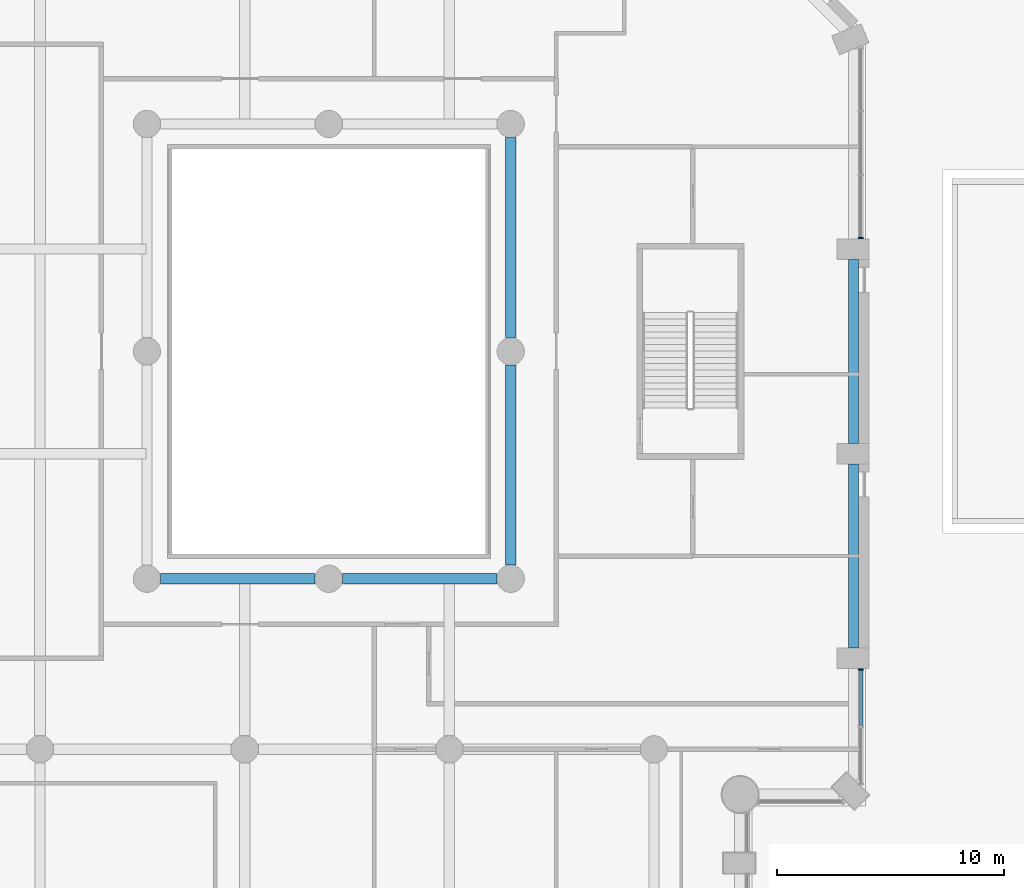
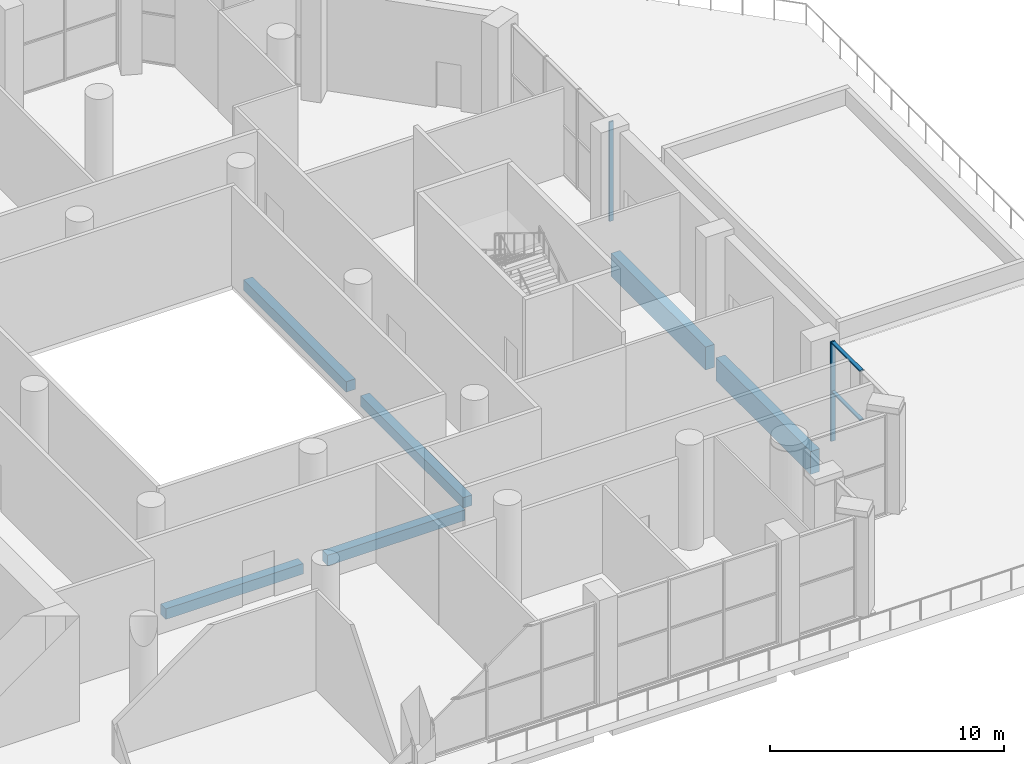
# One storey, part 7 of 26: 6 beams, 4 members, 2 elements without a shape of their own.
"""IFC4 building model written with IfcOpenShell, lengths in metres."""

from ifc_helpers import new_model, si_unit, direction, frame, origin, origin_2d, place, context, subcontext, project, spatial, rectangle, extrude, material, material_profile, profile_set, type_object, element, aggregate, save


model = new_model("IFC4")

# Units and contexts
model_context = context("Model", 3, precision=1e-05, world=origin(), true_north=direction((0.0, 1.0)))
body_context = subcontext(model_context, "Body", "Model", "MODEL_VIEW")
ifc_project = project(units=[si_unit("LENGTHUNIT", "METRE"), si_unit("AREAUNIT", "SQUARE_METRE"), si_unit("VOLUMEUNIT", "CUBIC_METRE"), si_unit("PLANEANGLEUNIT", "RADIAN"), si_unit("MASSUNIT", "GRAM", prefix="KILO")], contexts=[model_context])

# Site, building, storey
site_placement = place(None, origin())
site = spatial("IfcSite", under=ifc_project, at=site_placement, CompositionType="ELEMENT")
building_placement = place(site_placement, origin())
building = spatial("IfcBuilding", under=site, at=building_placement, Name="Cypress Arch Tower", CompositionType="ELEMENT")
storey_placement = place(building_placement, frame((0.0, 0.0, 50.0)))
storey = spatial("IfcBuildingStorey", under=building, at=storey_placement, Name="L06", CompositionType="ELEMENT", Elevation=50.0)

# Beams
ifc_material_1 = material(Name="Concrete C50/60", Category="concrete")
ifc_material_profile_1 = material_profile(ifc_material_1, rectangle(XDim=0.449951171875, YDim=0.550048828125, at=origin_2d()), Name="RC 450x550")
ifc_profile_set_1 = profile_set([ifc_material_profile_1], Name="Concrete C50/60")
beam_type_1 = type_object("IfcBeamType", Name="Floor beam RC 450x550 Concrete C50/60", PredefinedType="BEAM", material=ifc_profile_set_1)
for number, where, z_axis, x_axis, name in (
    (1, (9.0, -9.39990234375, -0.574951171875), (0.0, 1.0, 0.0), (-1.0, 0.0, 0.0), "Floor beam L06 RB003"),
    (2, (9.0, 0.60009765625, -0.574951171875), (0.0, 1.0, 0.0), (-1.0, 0.0, 0.0), "Floor beam L06 RB004"),
):
    element("IfcBeam", number, at=place(storey_placement, frame(where, z_axis=z_axis, x_axis=x_axis)), inside=storey, type_object=beam_type_1, Name=name, PredefinedType="BEAM", context=body_context, shape_type="SweptSolid", body=[
        extrude(rectangle(XDim=0.449951171875, YDim=0.550048828125, at=origin_2d()), origin(), (0.0, 0.0, 1.0), 8.7998046875),
    ])
for number, where, z_axis, x_axis, name in (
    (3, (-6.39990234375, -10.0, -0.574951171875), (1.0, 0.0, 0.0), (0.0, 1.0, 0.0), "Floor beam L06 RB005"),
    (4, (1.60009765625, -10.0, -0.574951171875), (1.0, 0.0, 0.0), (0.0, 1.0, 0.0), "Floor beam L06 RB006"),
):
    element("IfcBeam", number, at=place(storey_placement, frame(where, z_axis=z_axis, x_axis=x_axis)), inside=storey, type_object=beam_type_1, Name=name, PredefinedType="BEAM", context=body_context, shape_type="SweptSolid", body=[
        extrude(rectangle(XDim=0.449951171875, YDim=0.550048828125, at=origin_2d()), origin(), (0.0, 0.0, 1.0), 6.7998046875),
    ])

# Curtain wall, member
ifc_material_2 = material(Name="Anodised aluminium, bronze finish, solar control laminated double glazing", Category="aluminium")
curtain_wall_type = type_object("IfcCurtainWallType", Name="Curtain wall CW3 sky lobby glazing", PredefinedType="NOTDEFINED", material=ifc_material_2)
curtain_wall_1_placement = place(storey_placement, origin())
curtain_wall_1 = element("IfcCurtainWall", 5, at=curtain_wall_1_placement, inside=storey, type_object=curtain_wall_type, Name="Curtain wall L06 A06.0.1", PredefinedType="NOTDEFINED")
ifc_material_3 = material(Name="Anodised aluminium, bronze finish", Category="aluminium")
ifc_material_profile_2 = material_profile(ifc_material_3, rectangle(XDim=0.219970703125, YDim=0.074951171875, at=origin_2d()), Name="Mullion 75x220")
ifc_profile_set_2 = profile_set([ifc_material_profile_2], Name="Anodised aluminium, bronze finish")
member_type_1 = type_object("IfcMemberType", Name="Mullion CW3 75x220", PredefinedType="MULLION", material=ifc_profile_set_2)
member_1_placement = place(storey_placement, frame((24.39990234375, -13.987548828125, 0.0), z_axis=(0.0, 0.0, 1.0), x_axis=(-1.0, 0.0, 0.0)))
member_1 = element("IfcMember", 6, at=member_1_placement, type_object=member_type_1, Name="CW3 mullion 3", PredefinedType="MULLION", context=body_context, shape_type="SweptSolid", body=[
    extrude(rectangle(XDim=0.219970703125, YDim=0.074951171875, at=origin_2d()), origin(), (0.0, 0.0, 1.0), 5.199951171875),
])

curtain_wall_2_placement = place(storey_placement, origin())
curtain_wall_2 = element("IfcCurtainWall", 7, at=curtain_wall_2_placement, inside=storey, type_object=curtain_wall_type, Name="Curtain wall L06 A06.3.1", PredefinedType="NOTDEFINED")
member_2_placement = place(storey_placement, frame((24.39990234375, 4.987548828125, 0.0), z_axis=(0.0, 0.0, 1.0), x_axis=(-1.0, 0.0, 0.0)))
member_2 = element("IfcMember", 8, at=member_2_placement, type_object=member_type_1, Name="CW3 mullion 1", PredefinedType="MULLION", context=body_context, shape_type="SweptSolid", body=[
    extrude(rectangle(XDim=0.219970703125, YDim=0.074951171875, at=origin_2d()), origin(), (0.0, 0.0, 1.0), 5.199951171875),
])
aggregate(curtain_wall_2, [member_2])

# Beams
ifc_material_4 = material(Name="Concrete C50/60", Category="concrete")
ifc_material_profile_3 = material_profile(ifc_material_4, rectangle(XDim=0.449951171875, YDim=1.199951171875, at=origin_2d()), Name="RC 450x1200")
ifc_profile_set_3 = profile_set([ifc_material_profile_3], Name="Concrete C50/60")
beam_type_2 = type_object("IfcBeamType", Name="Spandrel beam RC 450x1200 Concrete C50/60", PredefinedType="SPANDREL", material=ifc_profile_set_3)
for number, where, z_axis, x_axis, name in (
    (9, (24.074951171875, -13.050048828125, -1.550048828125), (0.0, 1.0, 0.0), (-1.0, 0.0, 0.0), "Spandrel beam L06 BA06-1"),
    (10, (24.074951171875, -4.050048828125, -1.550048828125), (0.0, 1.0, 0.0), (-1.0, 0.0, 0.0), "Spandrel beam L06 BA06-2"),
):
    element("IfcBeam", number, at=place(storey_placement, frame(where, z_axis=z_axis, x_axis=x_axis)), inside=storey, type_object=beam_type_2, Name=name, PredefinedType="SPANDREL", context=body_context, shape_type="SweptSolid", body=[
        extrude(rectangle(XDim=0.449951171875, YDim=1.199951171875, at=origin_2d()), origin(), (0.0, 0.0, 1.0), 8.10009765625),
    ])

# Member
ifc_material_5 = material(Name="Anodised aluminium, bronze finish", Category="aluminium")
ifc_material_profile_4 = material_profile(ifc_material_5, rectangle(XDim=0.179931640625, YDim=0.074951171875, at=origin_2d()), Name="Transom 75x180")
ifc_profile_set_4 = profile_set([ifc_material_profile_4], Name="Anodised aluminium, bronze finish")
member_type_2 = type_object("IfcMemberType", Name="Transom CW3 75x180", PredefinedType="USERDEFINED", material=ifc_profile_set_4)
member_3_placement = place(storey_placement, frame((24.39990234375, -16.46923828125, 2.60009765625), z_axis=(0.0, 1.0, 0.0), x_axis=(-1.0, 0.0, 0.0)))
member_3 = element("IfcMember", 11, at=member_3_placement, type_object=member_type_2, Name="CW3 transom 2.2", ObjectType="TRANSOM", PredefinedType="USERDEFINED", context=body_context, shape_type="SweptSolid", body=[
    extrude(rectangle(XDim=0.179931640625, YDim=0.074951171875, at=origin_2d()), origin(), (0.0, 0.0, 1.0), 2.4443359375),
])

member_4_placement = place(storey_placement, frame((24.39990234375, -16.46923828125, 5.16259765625), z_axis=(0.0, 1.0, 0.0), x_axis=(-1.0, 0.0, 0.0)))
member_4 = element("IfcMember", 12, at=member_4_placement, type_object=member_type_2, Name="CW3 transom 2.3", ObjectType="TRANSOM", PredefinedType="USERDEFINED", context=body_context, shape_type="SweptSolid", body=[
    extrude(rectangle(XDim=0.179931640625, YDim=0.074951171875, at=origin_2d()), origin(), (0.0, 0.0, 1.0), 2.4443359375),
])

aggregate(curtain_wall_1, [member_1, member_3, member_4])

save(model, "model.ifc")
